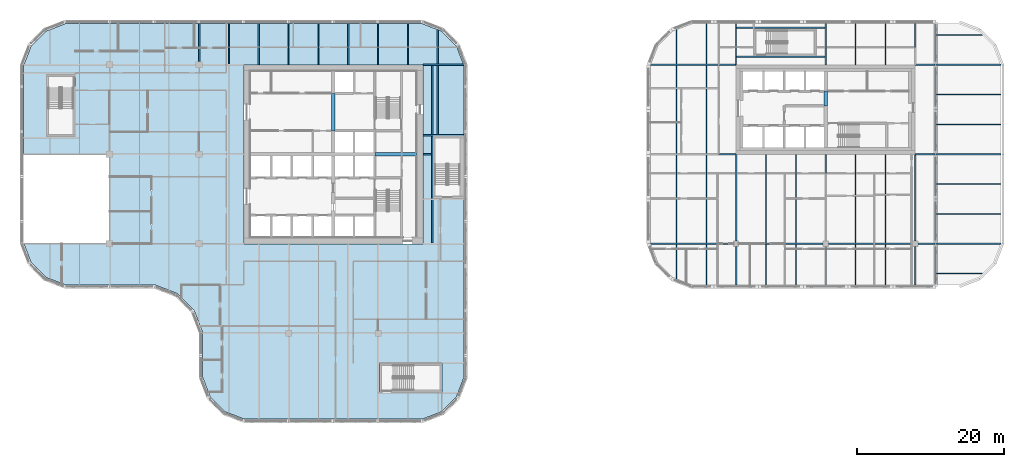
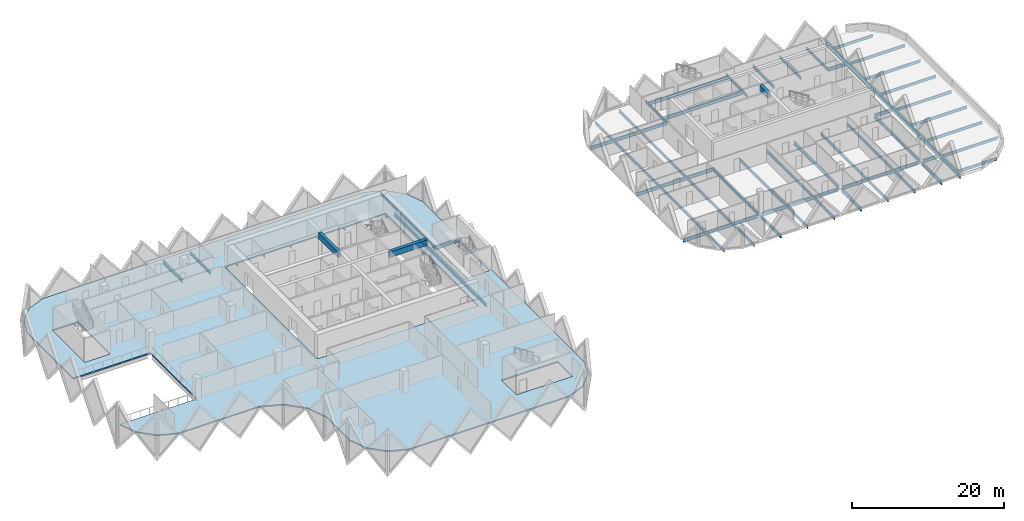
# One storey, part 2 of 18: 64 beams, 1 slab.
"""IFC4 building model written with IfcOpenShell, lengths in metres."""

from ifc_helpers import new_model, si_unit, direction, frame, origin, origin_2d, place, context, subcontext, project, spatial, polyline, rectangle, i_section, outline, extrude, material, layer, layer_set, material_profile, profile_set, type_object, element, save


model = new_model("IFC4")

# Units and contexts
model_context = context("Model", 3, precision=1e-05, world=origin(), true_north=direction((0.0, 1.0)))
body_context = subcontext(model_context, "Body", "Model", "MODEL_VIEW")
ifc_project = project(units=[si_unit("LENGTHUNIT", "METRE"), si_unit("AREAUNIT", "SQUARE_METRE"), si_unit("VOLUMEUNIT", "CUBIC_METRE"), si_unit("PLANEANGLEUNIT", "RADIAN"), si_unit("MASSUNIT", "GRAM", prefix="KILO")], contexts=[model_context])

# Site, building, storey
site_placement = place(None, origin())
site = spatial("IfcSite", under=ifc_project, at=site_placement, CompositionType="ELEMENT")
building_placement = place(site_placement, origin())
building = spatial("IfcBuilding", under=site, at=building_placement, Name="Tessera Gate Towers", CompositionType="ELEMENT")
storey_placement = place(building_placement, frame((0.0, 0.0, 95.199951171875)))
storey = spatial("IfcBuildingStorey", under=building, at=storey_placement, Name="L23", CompositionType="ELEMENT", Elevation=95.199951171875)

# Beams
ifc_material_1 = material(Name="Concrete C50/60", Category="concrete")
ifc_material_profile_1 = material_profile(ifc_material_1, rectangle(XDim=0.5, YDim=0.89990234375, at=origin_2d()), Name="RC 500x900")
ifc_profile_set_1 = profile_set([ifc_material_profile_1], Name="Concrete C50/60")
beam_type_1 = type_object("IfcBeamType", Name="COUPLING BEAM 500x900 C50/60", PredefinedType="BEAM", material=ifc_profile_set_1)
beam_1_placement = place(storey_placement, frame((109.800048828125, 43.199951171875, 3.150146484375), z_axis=(0.0, 1.0, 0.0), x_axis=(-1.0, 0.0, 0.0)))
element("IfcBeam", 1, at=beam_1_placement, inside=storey, type_object=beam_type_1, Name="L23 coupling beam 1", PredefinedType="BEAM", context=body_context, shape_type="SweptSolid", body=[
    extrude(rectangle(XDim=0.5, YDim=0.89990234375, at=origin_2d()), origin(), (0.0, 0.0, 1.0), 2.0),
])
ifc_material_2 = material(Name="Concrete C60/75", Category="concrete")
ifc_material_profile_2 = material_profile(ifc_material_2, rectangle(XDim=0.5, YDim=0.89990234375, at=origin_2d()), Name="RC 500x900")
ifc_profile_set_2 = profile_set([ifc_material_profile_2], Name="Concrete C60/75")
beam_type_2 = type_object("IfcBeamType", Name="COUPLING BEAM 500x900 C60/75", PredefinedType="BEAM", material=ifc_profile_set_2)
beam_2_placement = place(storey_placement, frame((48.35009765625, 36.60009765625, 3.150146484375), z_axis=(1.0, 0.0, 0.0), x_axis=(0.0, 1.0, 0.0)))
element("IfcBeam", 2, at=beam_2_placement, inside=storey, type_object=beam_type_2, Name="L23 coupling beam 1", PredefinedType="BEAM", context=body_context, shape_type="SweptSolid", body=[
    extrude(rectangle(XDim=0.5, YDim=0.89990234375, at=origin_2d()), origin(), (0.0, 0.0, 1.0), 5.75),
])
beam_3_placement = place(storey_placement, frame((42.699951171875, 39.800048828125, 3.150146484375), z_axis=(0.0, 1.0, 0.0), x_axis=(-1.0, 0.0, 0.0)))
element("IfcBeam", 3, at=beam_3_placement, inside=storey, type_object=beam_type_2, Name="L23 coupling beam 2", PredefinedType="BEAM", context=body_context, shape_type="SweptSolid", body=[
    extrude(rectangle(XDim=0.5, YDim=0.89990234375, at=origin_2d()), origin(), (0.0, 0.0, 1.0), 5.099853515625),
])
ifc_material_3 = material(Name="Steel 350W", Category="steel")
ifc_material_profile_3 = material_profile(ifc_material_3, i_section(OverallWidth=0.2529296875, OverallDepth=0.677978515625, WebThickness=0.01171875, FlangeThickness=0.016357421875, at=origin_2d()), Name="W690x125")
ifc_profile_set_3 = profile_set([ifc_material_profile_3], Name="Steel 350W")
beam_type_3 = type_object("IfcBeamType", Name="FLOOR EDGE GIRDER W690x125", PredefinedType="BEAM", material=ifc_profile_set_3)
beam_4_placement = place(storey_placement, frame((124.800048828125, 18.800048828125, -0.3388671875), z_axis=(0.0, 1.0, 0.0), x_axis=(-1.0, 0.0, 0.0)))
element("IfcBeam", 4, at=beam_4_placement, inside=storey, type_object=beam_type_3, Name="T2-GD-L23-3132", PredefinedType="BEAM", context=body_context, shape_type="SweptSolid", body=[
    extrude(i_section(OverallWidth=0.2529296875, OverallDepth=0.677978515625, WebThickness=0.01171875, FlangeThickness=0.016357421875, at=origin_2d()), origin(), (0.0, 0.0, 1.0), 35.599853515625),
])
ifc_material_4 = material(Name="Steel 350W", Category="steel")
ifc_material_profile_4 = material_profile(ifc_material_4, i_section(OverallWidth=0.208984375, OverallDepth=0.532958984375, WebThickness=0.01025390625, FlangeThickness=0.015625, at=origin_2d()), Name="W530x92")
ifc_profile_set_4 = profile_set([ifc_material_profile_4], Name="Steel 350W")
beam_type_4 = type_object("IfcBeamType", Name="FLOOR GIRDER W530x92", PredefinedType="BEAM", material=ifc_profile_set_4)
beam_5_placement = place(storey_placement, frame((54.89892578125, 36.60009765625, -0.466552734375), z_axis=(1.0, 0.0, 0.0), x_axis=(0.0, 1.0, 0.0)))
element("IfcBeam", 5, at=beam_5_placement, inside=storey, type_object=beam_type_4, Name="T1-GD-L23-3068", PredefinedType="BEAM", context=body_context, shape_type="SweptSolid", body=[
    extrude(i_section(OverallWidth=0.208984375, OverallDepth=0.532958984375, WebThickness=0.01025390625, FlangeThickness=0.015625, at=origin_2d()), origin(), (0.0, 0.0, 1.0), 1.176513671875),
])
beam_6_placement = place(storey_placement, frame((54.90087890625, 48.800048828125, -0.466552734375), z_axis=(1.0, 0.0, 0.0), x_axis=(0.0, 1.0, 0.0)))
element("IfcBeam", 6, at=beam_6_placement, inside=storey, type_object=beam_type_4, Name="T1-GD-L23-3072", PredefinedType="BEAM", context=body_context, shape_type="SweptSolid", body=[
    extrude(i_section(OverallWidth=0.208984375, OverallDepth=0.532958984375, WebThickness=0.01025390625, FlangeThickness=0.015625, at=origin_2d()), origin(), (0.0, 0.0, 1.0), 5.564208984375),
])
beam_7_placement = place(storey_placement, frame((24.39990234375, 49.25, -0.466552734375), z_axis=(0.0, 1.0, 0.0), x_axis=(-1.0, 0.0, 0.0)))
element("IfcBeam", 7, at=beam_7_placement, inside=storey, type_object=beam_type_4, Name="T1-GD-L23-3080", PredefinedType="BEAM", context=body_context, shape_type="SweptSolid", body=[
    extrude(i_section(OverallWidth=0.208984375, OverallDepth=0.532958984375, WebThickness=0.01025390625, FlangeThickness=0.015625, at=origin_2d()), origin(), (0.0, 0.0, 1.0), 5.15087890625),
])
beam_8_placement = place(storey_placement, frame((54.89892578125, 39.219970703125, -0.466552734375), z_axis=(1.0, 0.0, 0.0), x_axis=(0.0, 1.0, 0.0)))
element("IfcBeam", 8, at=beam_8_placement, inside=storey, type_object=beam_type_4, Name="T1-GD-L23-3090", PredefinedType="BEAM", context=body_context, shape_type="SweptSolid", body=[
    extrude(i_section(OverallWidth=0.208984375, OverallDepth=0.532958984375, WebThickness=0.01025390625, FlangeThickness=0.015625, at=origin_2d()), origin(), (0.0, 0.0, 1.0), 5.60205078125),
])
beam_9_placement = place(storey_placement, frame((56.179931640625, 24.50439453125, -0.466552734375), z_axis=(0.0, 1.0, 0.0), x_axis=(-1.0, 0.0, 0.0)))
element("IfcBeam", 9, at=beam_9_placement, inside=storey, type_object=beam_type_4, Name="T1-GD-L23-3091", PredefinedType="BEAM", context=body_context, shape_type="SweptSolid", body=[
    extrude(i_section(OverallWidth=0.208984375, OverallDepth=0.532958984375, WebThickness=0.01025390625, FlangeThickness=0.015625, at=origin_2d()), origin(), (0.0, 0.0, 1.0), 24.191162109375),
])
beam_10_placement = place(storey_placement, frame((85.934814453125, 24.39990234375, -0.466552734375), z_axis=(1.0, 0.0, 0.0), x_axis=(0.0, 1.0, 0.0)))
element("IfcBeam", 10, at=beam_10_placement, inside=storey, type_object=beam_type_4, Name="T2-GD-L23-3133", PredefinedType="BEAM", context=body_context, shape_type="SweptSolid", body=[
    extrude(i_section(OverallWidth=0.208984375, OverallDepth=0.532958984375, WebThickness=0.01025390625, FlangeThickness=0.015625, at=origin_2d()), origin(), (0.0, 0.0, 1.0), 11.315185546875),
])
for number, where, z_axis, x_axis, name in (
    (11, (97.949951171875, 24.39990234375, -0.466552734375), (1.0, 0.0, 0.0), (0.0, 1.0, 0.0), "T2-GD-L23-3134"),
    (12, (110.14990234375, 24.39990234375, -0.466552734375), (1.0, 0.0, 0.0), (0.0, 1.0, 0.0), "T2-GD-L23-3135"),
):
    element("IfcBeam", number, at=place(storey_placement, frame(where, z_axis=z_axis, x_axis=x_axis)), inside=storey, type_object=beam_type_4, Name=name, PredefinedType="BEAM", context=body_context, shape_type="SweptSolid", body=[
        extrude(i_section(OverallWidth=0.208984375, OverallDepth=0.532958984375, WebThickness=0.01025390625, FlangeThickness=0.015625, at=origin_2d()), origin(), (0.0, 0.0, 1.0), 11.5),
    ])
beam_11_placement = place(storey_placement, frame((122.35009765625, 24.39990234375, -0.466552734375), z_axis=(1.0, 0.0, 0.0), x_axis=(0.0, 1.0, 0.0)))
element("IfcBeam", 13, at=beam_11_placement, inside=storey, type_object=beam_type_4, Name="T2-GD-L23-3136", PredefinedType="BEAM", context=body_context, shape_type="SweptSolid", body=[
    extrude(i_section(OverallWidth=0.208984375, OverallDepth=0.532958984375, WebThickness=0.01025390625, FlangeThickness=0.015625, at=origin_2d()), origin(), (0.0, 0.0, 1.0), 2.323486328125),
])
beam_12_placement = place(storey_placement, frame((85.89892578125, 36.60009765625, -0.466552734375), z_axis=(1.0, 0.0, 0.0), x_axis=(0.0, 1.0, 0.0)))
element("IfcBeam", 14, at=beam_12_placement, inside=storey, type_object=beam_type_4, Name="T2-GD-L23-3137", PredefinedType="BEAM", context=body_context, shape_type="SweptSolid", body=[
    extrude(i_section(OverallWidth=0.208984375, OverallDepth=0.532958984375, WebThickness=0.01025390625, FlangeThickness=0.015625, at=origin_2d()), origin(), (0.0, 0.0, 1.0), 11.7001953125),
])
beam_13_placement = place(storey_placement, frame((122.0009765625, 36.60009765625, -0.466552734375), z_axis=(1.0, 0.0, 0.0), x_axis=(0.0, 1.0, 0.0)))
element("IfcBeam", 15, at=beam_13_placement, inside=storey, type_object=beam_type_4, Name="T2-GD-L23-3138", PredefinedType="BEAM", context=body_context, shape_type="SweptSolid", body=[
    extrude(i_section(OverallWidth=0.208984375, OverallDepth=0.532958984375, WebThickness=0.01025390625, FlangeThickness=0.015625, at=origin_2d()), origin(), (0.0, 0.0, 1.0), 2.672607421875),
])
beam_14_placement = place(storey_placement, frame((85.934814453125, 48.800048828125, -0.466552734375), z_axis=(1.0, 0.0, 0.0), x_axis=(0.0, 1.0, 0.0)))
element("IfcBeam", 16, at=beam_14_placement, inside=storey, type_object=beam_type_4, Name="T2-GD-L23-3139", PredefinedType="BEAM", context=body_context, shape_type="SweptSolid", body=[
    extrude(i_section(OverallWidth=0.208984375, OverallDepth=0.532958984375, WebThickness=0.01025390625, FlangeThickness=0.015625, at=origin_2d()), origin(), (0.0, 0.0, 1.0), 11.664306640625),
])
beam_15_placement = place(storey_placement, frame((122.0009765625, 48.800048828125, -0.466552734375), z_axis=(1.0, 0.0, 0.0), x_axis=(0.0, 1.0, 0.0)))
element("IfcBeam", 17, at=beam_15_placement, inside=storey, type_object=beam_type_4, Name="T2-GD-L23-3140", PredefinedType="BEAM", context=body_context, shape_type="SweptSolid", body=[
    extrude(i_section(OverallWidth=0.208984375, OverallDepth=0.532958984375, WebThickness=0.01025390625, FlangeThickness=0.015625, at=origin_2d()), origin(), (0.0, 0.0, 1.0), 2.672607421875),
])
beam_16_placement = place(storey_placement, frame((97.60009765625, 18.799072265625, -0.466552734375), z_axis=(0.0, 1.0, 0.0), x_axis=(-1.0, 0.0, 0.0)))
element("IfcBeam", 18, at=beam_16_placement, inside=storey, type_object=beam_type_4, Name="T2-GD-L23-3141", PredefinedType="BEAM", context=body_context, shape_type="SweptSolid", body=[
    extrude(i_section(OverallWidth=0.208984375, OverallDepth=0.532958984375, WebThickness=0.01025390625, FlangeThickness=0.015625, at=origin_2d()), origin(), (0.0, 0.0, 1.0), 5.2509765625),
])
beam_17_placement = place(storey_placement, frame((97.60009765625, 24.75, -0.466552734375), z_axis=(0.0, 1.0, 0.0), x_axis=(-1.0, 0.0, 0.0)))
element("IfcBeam", 19, at=beam_17_placement, inside=storey, type_object=beam_type_4, Name="T2-GD-L23-3142", PredefinedType="BEAM", context=body_context, shape_type="SweptSolid", body=[
    extrude(i_section(OverallWidth=0.208984375, OverallDepth=0.532958984375, WebThickness=0.01025390625, FlangeThickness=0.015625, at=origin_2d()), origin(), (0.0, 0.0, 1.0), 11.85009765625),
])
beam_18_placement = place(storey_placement, frame((109.800048828125, 18.799072265625, -0.466552734375), z_axis=(0.0, 1.0, 0.0), x_axis=(-1.0, 0.0, 0.0)))
element("IfcBeam", 20, at=beam_18_placement, inside=storey, type_object=beam_type_4, Name="T2-GD-L23-3143", PredefinedType="BEAM", context=body_context, shape_type="SweptSolid", body=[
    extrude(i_section(OverallWidth=0.208984375, OverallDepth=0.532958984375, WebThickness=0.01025390625, FlangeThickness=0.015625, at=origin_2d()), origin(), (0.0, 0.0, 1.0), 5.2509765625),
])
beam_19_placement = place(storey_placement, frame((109.800048828125, 24.75, -0.466552734375), z_axis=(0.0, 1.0, 0.0), x_axis=(-1.0, 0.0, 0.0)))
element("IfcBeam", 21, at=beam_19_placement, inside=storey, type_object=beam_type_4, Name="T2-GD-L23-3144", PredefinedType="BEAM", context=body_context, shape_type="SweptSolid", body=[
    extrude(i_section(OverallWidth=0.208984375, OverallDepth=0.532958984375, WebThickness=0.01025390625, FlangeThickness=0.015625, at=origin_2d()), origin(), (0.0, 0.0, 1.0), 11.85009765625),
])
beam_20_placement = place(storey_placement, frame((122.0, 18.799072265625, -0.466552734375), z_axis=(0.0, 1.0, 0.0), x_axis=(-1.0, 0.0, 0.0)))
element("IfcBeam", 22, at=beam_20_placement, inside=storey, type_object=beam_type_4, Name="T2-GD-L23-3145", PredefinedType="BEAM", context=body_context, shape_type="SweptSolid", body=[
    extrude(i_section(OverallWidth=0.208984375, OverallDepth=0.532958984375, WebThickness=0.01025390625, FlangeThickness=0.015625, at=origin_2d()), origin(), (0.0, 0.0, 1.0), 5.2509765625),
])
beam_21_placement = place(storey_placement, frame((122.0, 24.75, -0.466552734375), z_axis=(0.0, 1.0, 0.0), x_axis=(-1.0, 0.0, 0.0)))
element("IfcBeam", 23, at=beam_21_placement, inside=storey, type_object=beam_type_4, Name="T2-GD-L23-3146", PredefinedType="BEAM", context=body_context, shape_type="SweptSolid", body=[
    extrude(i_section(OverallWidth=0.208984375, OverallDepth=0.532958984375, WebThickness=0.01025390625, FlangeThickness=0.015625, at=origin_2d()), origin(), (0.0, 0.0, 1.0), 11.85009765625),
])
for number, where, z_axis, x_axis, name in (
    (24, (97.676513671875, 49.8798828125, -0.466552734375), (1.0, 0.0, 0.0), (0.0, 1.0, 0.0), "T2-GD-L23-3147"),
    (25, (97.676513671875, 53.820068359375, -0.466552734375), (1.0, 0.0, 0.0), (0.0, 1.0, 0.0), "T2-GD-L23-3148"),
):
    element("IfcBeam", number, at=place(storey_placement, frame(where, z_axis=z_axis, x_axis=x_axis)), inside=storey, type_object=beam_type_4, Name=name, PredefinedType="BEAM", context=body_context, shape_type="SweptSolid", body=[
        extrude(i_section(OverallWidth=0.208984375, OverallDepth=0.532958984375, WebThickness=0.01025390625, FlangeThickness=0.015625, at=origin_2d()), origin(), (0.0, 0.0, 1.0), 12.046875),
    ])
ifc_material_5 = material(Name="Steel 350W", Category="steel")
ifc_material_profile_5 = material_profile(ifc_material_5, i_section(OverallWidth=0.153076171875, OverallDepth=0.455078125, WebThickness=0.008056640625, FlangeThickness=0.01318359375, at=origin_2d()), Name="W460x60")
ifc_profile_set_5 = profile_set([ifc_material_profile_5], Name="Steel 350W")
beam_type_5 = type_object("IfcBeamType", Name="FLOOR SECONDARY W460x60", PredefinedType="BEAM", material=ifc_profile_set_5)
beam_22_placement = place(storey_placement, frame((28.466796875, 48.904541015625, -0.427490234375), z_axis=(0.0, 1.0, 0.0), x_axis=(-1.0, 0.0, 0.0)))
element("IfcBeam", 26, at=beam_22_placement, inside=storey, type_object=beam_type_5, Name="T1-BM-L23-3110", PredefinedType="BEAM", context=body_context, shape_type="SweptSolid", body=[
    extrude(i_section(OverallWidth=0.153076171875, OverallDepth=0.455078125, WebThickness=0.008056640625, FlangeThickness=0.01318359375, at=origin_2d()), origin(), (0.0, 0.0, 1.0), 5.495361328125),
])
for number, where, z_axis, x_axis, name in (
    (27, (32.533203125, 48.800048828125, -0.427490234375), (0.0, 1.0, 0.0), (-1.0, 0.0, 0.0), "T1-BM-L23-3113"),
    (28, (36.60009765625, 48.800048828125, -0.427490234375), (0.0, 1.0, 0.0), (-1.0, 0.0, 0.0), "T1-BM-L23-3114"),
    (29, (40.666748046875, 48.800048828125, -0.427490234375), (0.0, 1.0, 0.0), (-1.0, 0.0, 0.0), "T1-BM-L23-3117"),
    (30, (44.7333984375, 48.800048828125, -0.427490234375), (0.0, 1.0, 0.0), (-1.0, 0.0, 0.0), "T1-BM-L23-3120"),
    (31, (48.800048828125, 48.800048828125, -0.427490234375), (0.0, 1.0, 0.0), (-1.0, 0.0, 0.0), "T1-BM-L23-3121"),
    (32, (52.86669921875, 48.800048828125, -0.427490234375), (0.0, 1.0, 0.0), (-1.0, 0.0, 0.0), "T1-BM-L23-3125"),
):
    element("IfcBeam", number, at=place(storey_placement, frame(where, z_axis=z_axis, x_axis=x_axis)), inside=storey, type_object=beam_type_5, Name=name, PredefinedType="BEAM", context=body_context, shape_type="SweptSolid", body=[
        extrude(i_section(OverallWidth=0.153076171875, OverallDepth=0.455078125, WebThickness=0.008056640625, FlangeThickness=0.01318359375, at=origin_2d()), origin(), (0.0, 0.0, 1.0), 5.599853515625),
    ])
beam_23_placement = place(storey_placement, frame((56.933349609375, 39.324462890625, -0.427490234375), z_axis=(0.0, 1.0, 0.0), x_axis=(-1.0, 0.0, 0.0)))
element("IfcBeam", 33, at=beam_23_placement, inside=storey, type_object=beam_type_5, Name="T1-BM-L23-3130", PredefinedType="BEAM", context=body_context, shape_type="SweptSolid", body=[
    extrude(i_section(OverallWidth=0.153076171875, OverallDepth=0.455078125, WebThickness=0.008056640625, FlangeThickness=0.01318359375, at=origin_2d()), origin(), (0.0, 0.0, 1.0), 9.37109375),
])
for number, where, z_axis, x_axis, name in (
    (34, (56.933349609375, 48.904541015625, -0.427490234375), (0.0, 1.0, 0.0), (-1.0, 0.0, 0.0), "T1-BM-L23-3131"),
    (35, (89.466796875, 19.620361328125, -0.427490234375), (0.0, 1.0, 0.0), (-1.0, 0.0, 0.0), "T2-BM-L23-3149"),
):
    element("IfcBeam", number, at=place(storey_placement, frame(where, z_axis=z_axis, x_axis=x_axis)), inside=storey, type_object=beam_type_5, Name=name, PredefinedType="BEAM", context=body_context, shape_type="SweptSolid", body=[
        extrude(i_section(OverallWidth=0.153076171875, OverallDepth=0.455078125, WebThickness=0.008056640625, FlangeThickness=0.01318359375, at=origin_2d()), origin(), (0.0, 0.0, 1.0), 4.675048828125),
    ])
beam_24_placement = place(storey_placement, frame((89.466796875, 24.50439453125, -0.427490234375), z_axis=(0.0, 1.0, 0.0), x_axis=(-1.0, 0.0, 0.0)))
element("IfcBeam", 36, at=beam_24_placement, inside=storey, type_object=beam_type_5, Name="T2-BM-L23-3150", PredefinedType="BEAM", context=body_context, shape_type="SweptSolid", body=[
    extrude(i_section(OverallWidth=0.153076171875, OverallDepth=0.455078125, WebThickness=0.008056640625, FlangeThickness=0.01318359375, at=origin_2d()), origin(), (0.0, 0.0, 1.0), 11.9912109375),
])
beam_25_placement = place(storey_placement, frame((89.466796875, 36.70458984375, -0.427490234375), z_axis=(0.0, 1.0, 0.0), x_axis=(-1.0, 0.0, 0.0)))
element("IfcBeam", 37, at=beam_25_placement, inside=storey, type_object=beam_type_5, Name="T2-BM-L23-3151", PredefinedType="BEAM", context=body_context, shape_type="SweptSolid", body=[
    extrude(i_section(OverallWidth=0.153076171875, OverallDepth=0.455078125, WebThickness=0.008056640625, FlangeThickness=0.01318359375, at=origin_2d()), origin(), (0.0, 0.0, 1.0), 11.990966796875),
])
beam_26_placement = place(storey_placement, frame((89.466796875, 48.904541015625, -0.427490234375), z_axis=(0.0, 1.0, 0.0), x_axis=(-1.0, 0.0, 0.0)))
element("IfcBeam", 38, at=beam_26_placement, inside=storey, type_object=beam_type_5, Name="T2-BM-L23-3152", PredefinedType="BEAM", context=body_context, shape_type="SweptSolid", body=[
    extrude(i_section(OverallWidth=0.153076171875, OverallDepth=0.455078125, WebThickness=0.008056640625, FlangeThickness=0.01318359375, at=origin_2d()), origin(), (0.0, 0.0, 1.0), 4.675048828125),
])
beam_27_placement = place(storey_placement, frame((93.533203125, 18.800048828125, -0.427490234375), z_axis=(0.0, 1.0, 0.0), x_axis=(-1.0, 0.0, 0.0)))
element("IfcBeam", 39, at=beam_27_placement, inside=storey, type_object=beam_type_5, Name="T2-BM-L23-3153", PredefinedType="BEAM", context=body_context, shape_type="SweptSolid", body=[
    extrude(i_section(OverallWidth=0.153076171875, OverallDepth=0.455078125, WebThickness=0.008056640625, FlangeThickness=0.01318359375, at=origin_2d()), origin(), (0.0, 0.0, 1.0), 5.495361328125),
])
beam_28_placement = place(storey_placement, frame((93.533203125, 24.50439453125, -0.427490234375), z_axis=(0.0, 1.0, 0.0), x_axis=(-1.0, 0.0, 0.0)))
element("IfcBeam", 40, at=beam_28_placement, inside=storey, type_object=beam_type_5, Name="T2-BM-L23-3154", PredefinedType="BEAM", context=body_context, shape_type="SweptSolid", body=[
    extrude(i_section(OverallWidth=0.153076171875, OverallDepth=0.455078125, WebThickness=0.008056640625, FlangeThickness=0.01318359375, at=origin_2d()), origin(), (0.0, 0.0, 1.0), 11.9912109375),
])
beam_29_placement = place(storey_placement, frame((93.533203125, 36.70458984375, -0.427490234375), z_axis=(0.0, 1.0, 0.0), x_axis=(-1.0, 0.0, 0.0)))
element("IfcBeam", 41, at=beam_29_placement, inside=storey, type_object=beam_type_5, Name="T2-BM-L23-3155", PredefinedType="BEAM", context=body_context, shape_type="SweptSolid", body=[
    extrude(i_section(OverallWidth=0.153076171875, OverallDepth=0.455078125, WebThickness=0.008056640625, FlangeThickness=0.01318359375, at=origin_2d()), origin(), (0.0, 0.0, 1.0), 11.990966796875),
])
beam_30_placement = place(storey_placement, frame((93.533203125, 48.904541015625, -0.427490234375), z_axis=(0.0, 1.0, 0.0), x_axis=(-1.0, 0.0, 0.0)))
element("IfcBeam", 42, at=beam_30_placement, inside=storey, type_object=beam_type_5, Name="T2-BM-L23-3156", PredefinedType="BEAM", context=body_context, shape_type="SweptSolid", body=[
    extrude(i_section(OverallWidth=0.153076171875, OverallDepth=0.455078125, WebThickness=0.008056640625, FlangeThickness=0.01318359375, at=origin_2d()), origin(), (0.0, 0.0, 1.0), 5.495361328125),
])
beam_31_placement = place(storey_placement, frame((97.60009765625, 48.800048828125, -0.427490234375), z_axis=(0.0, 1.0, 0.0), x_axis=(-1.0, 0.0, 0.0)))
element("IfcBeam", 43, at=beam_31_placement, inside=storey, type_object=beam_type_5, Name="T2-BM-L23-3157", PredefinedType="BEAM", context=body_context, shape_type="SweptSolid", body=[
    extrude(i_section(OverallWidth=0.153076171875, OverallDepth=0.455078125, WebThickness=0.008056640625, FlangeThickness=0.01318359375, at=origin_2d()), origin(), (0.0, 0.0, 1.0), 5.599853515625),
])
beam_32_placement = place(storey_placement, frame((101.666748046875, 18.800048828125, -0.427490234375), z_axis=(0.0, 1.0, 0.0), x_axis=(-1.0, 0.0, 0.0)))
element("IfcBeam", 44, at=beam_32_placement, inside=storey, type_object=beam_type_5, Name="T2-BM-L23-3158", PredefinedType="BEAM", context=body_context, shape_type="SweptSolid", body=[
    extrude(i_section(OverallWidth=0.153076171875, OverallDepth=0.455078125, WebThickness=0.008056640625, FlangeThickness=0.01318359375, at=origin_2d()), origin(), (0.0, 0.0, 1.0), 5.495361328125),
])
beam_33_placement = place(storey_placement, frame((101.666748046875, 24.50439453125, -0.427490234375), z_axis=(0.0, 1.0, 0.0), x_axis=(-1.0, 0.0, 0.0)))
element("IfcBeam", 45, at=beam_33_placement, inside=storey, type_object=beam_type_5, Name="T2-BM-L23-3159", PredefinedType="BEAM", context=body_context, shape_type="SweptSolid", body=[
    extrude(i_section(OverallWidth=0.153076171875, OverallDepth=0.455078125, WebThickness=0.008056640625, FlangeThickness=0.01318359375, at=origin_2d()), origin(), (0.0, 0.0, 1.0), 12.095703125),
])
beam_34_placement = place(storey_placement, frame((105.7333984375, 18.800048828125, -0.427490234375), z_axis=(0.0, 1.0, 0.0), x_axis=(-1.0, 0.0, 0.0)))
element("IfcBeam", 46, at=beam_34_placement, inside=storey, type_object=beam_type_5, Name="T2-BM-L23-3160", PredefinedType="BEAM", context=body_context, shape_type="SweptSolid", body=[
    extrude(i_section(OverallWidth=0.153076171875, OverallDepth=0.455078125, WebThickness=0.008056640625, FlangeThickness=0.01318359375, at=origin_2d()), origin(), (0.0, 0.0, 1.0), 5.495361328125),
])
beam_35_placement = place(storey_placement, frame((105.7333984375, 24.50439453125, -0.427490234375), z_axis=(0.0, 1.0, 0.0), x_axis=(-1.0, 0.0, 0.0)))
element("IfcBeam", 47, at=beam_35_placement, inside=storey, type_object=beam_type_5, Name="T2-BM-L23-3161", PredefinedType="BEAM", context=body_context, shape_type="SweptSolid", body=[
    extrude(i_section(OverallWidth=0.153076171875, OverallDepth=0.455078125, WebThickness=0.008056640625, FlangeThickness=0.01318359375, at=origin_2d()), origin(), (0.0, 0.0, 1.0), 12.095703125),
])
beam_36_placement = place(storey_placement, frame((109.800048828125, 48.800048828125, -0.427490234375), z_axis=(0.0, 1.0, 0.0), x_axis=(-1.0, 0.0, 0.0)))
element("IfcBeam", 48, at=beam_36_placement, inside=storey, type_object=beam_type_5, Name="T2-BM-L23-3162", PredefinedType="BEAM", context=body_context, shape_type="SweptSolid", body=[
    extrude(i_section(OverallWidth=0.153076171875, OverallDepth=0.455078125, WebThickness=0.008056640625, FlangeThickness=0.01318359375, at=origin_2d()), origin(), (0.0, 0.0, 1.0), 5.599853515625),
])
beam_37_placement = place(storey_placement, frame((113.86669921875, 18.800048828125, -0.427490234375), z_axis=(0.0, 1.0, 0.0), x_axis=(-1.0, 0.0, 0.0)))
element("IfcBeam", 49, at=beam_37_placement, inside=storey, type_object=beam_type_5, Name="T2-BM-L23-3163", PredefinedType="BEAM", context=body_context, shape_type="SweptSolid", body=[
    extrude(i_section(OverallWidth=0.153076171875, OverallDepth=0.455078125, WebThickness=0.008056640625, FlangeThickness=0.01318359375, at=origin_2d()), origin(), (0.0, 0.0, 1.0), 5.495361328125),
])
beam_38_placement = place(storey_placement, frame((113.86669921875, 24.50439453125, -0.427490234375), z_axis=(0.0, 1.0, 0.0), x_axis=(-1.0, 0.0, 0.0)))
element("IfcBeam", 50, at=beam_38_placement, inside=storey, type_object=beam_type_5, Name="T2-BM-L23-3164", PredefinedType="BEAM", context=body_context, shape_type="SweptSolid", body=[
    extrude(i_section(OverallWidth=0.153076171875, OverallDepth=0.455078125, WebThickness=0.008056640625, FlangeThickness=0.01318359375, at=origin_2d()), origin(), (0.0, 0.0, 1.0), 12.095703125),
])
beam_39_placement = place(storey_placement, frame((113.86669921875, 48.800048828125, -0.427490234375), z_axis=(0.0, 1.0, 0.0), x_axis=(-1.0, 0.0, 0.0)))
element("IfcBeam", 51, at=beam_39_placement, inside=storey, type_object=beam_type_5, Name="T2-BM-L23-3165", PredefinedType="BEAM", context=body_context, shape_type="SweptSolid", body=[
    extrude(i_section(OverallWidth=0.153076171875, OverallDepth=0.455078125, WebThickness=0.008056640625, FlangeThickness=0.01318359375, at=origin_2d()), origin(), (0.0, 0.0, 1.0), 5.599853515625),
])
beam_40_placement = place(storey_placement, frame((117.933349609375, 18.800048828125, -0.427490234375), z_axis=(0.0, 1.0, 0.0), x_axis=(-1.0, 0.0, 0.0)))
element("IfcBeam", 52, at=beam_40_placement, inside=storey, type_object=beam_type_5, Name="T2-BM-L23-3166", PredefinedType="BEAM", context=body_context, shape_type="SweptSolid", body=[
    extrude(i_section(OverallWidth=0.153076171875, OverallDepth=0.455078125, WebThickness=0.008056640625, FlangeThickness=0.01318359375, at=origin_2d()), origin(), (0.0, 0.0, 1.0), 5.495361328125),
])
beam_41_placement = place(storey_placement, frame((117.933349609375, 24.50439453125, -0.427490234375), z_axis=(0.0, 1.0, 0.0), x_axis=(-1.0, 0.0, 0.0)))
element("IfcBeam", 53, at=beam_41_placement, inside=storey, type_object=beam_type_5, Name="T2-BM-L23-3167", PredefinedType="BEAM", context=body_context, shape_type="SweptSolid", body=[
    extrude(i_section(OverallWidth=0.153076171875, OverallDepth=0.455078125, WebThickness=0.008056640625, FlangeThickness=0.01318359375, at=origin_2d()), origin(), (0.0, 0.0, 1.0), 12.095703125),
])
for number, where, z_axis, x_axis, name in (
    (54, (117.933349609375, 48.800048828125, -0.427490234375), (0.0, 1.0, 0.0), (-1.0, 0.0, 0.0), "T2-BM-L23-3168"),
    (55, (122.0, 48.800048828125, -0.427490234375), (0.0, 1.0, 0.0), (-1.0, 0.0, 0.0), "T2-BM-L23-3169"),
):
    element("IfcBeam", number, at=place(storey_placement, frame(where, z_axis=z_axis, x_axis=x_axis)), inside=storey, type_object=beam_type_5, Name=name, PredefinedType="BEAM", context=body_context, shape_type="SweptSolid", body=[
        extrude(i_section(OverallWidth=0.153076171875, OverallDepth=0.455078125, WebThickness=0.008056640625, FlangeThickness=0.01318359375, at=origin_2d()), origin(), (0.0, 0.0, 1.0), 5.599853515625),
    ])
beam_42_placement = place(storey_placement, frame((124.904541015625, 20.333251953125, -0.677490234375), z_axis=(1.0, 0.0, 0.0), x_axis=(0.0, 1.0, 0.0)))
element("IfcBeam", 56, at=beam_42_placement, inside=storey, type_object=beam_type_5, Name="T2-R-BM-L23-3170", PredefinedType="BEAM", context=body_context, shape_type="SweptSolid", body=[
    extrude(i_section(OverallWidth=0.153076171875, OverallDepth=0.455078125, WebThickness=0.008056640625, FlangeThickness=0.01318359375, at=origin_2d()), origin(), (0.0, 0.0, 1.0), 6.26953125),
])
beam_43_placement = place(storey_placement, frame((124.904541015625, 24.39990234375, -0.677490234375), z_axis=(1.0, 0.0, 0.0), x_axis=(0.0, 1.0, 0.0)))
element("IfcBeam", 57, at=beam_43_placement, inside=storey, type_object=beam_type_5, Name="T2-R-BM-L23-3171", PredefinedType="BEAM", context=body_context, shape_type="SweptSolid", body=[
    extrude(i_section(OverallWidth=0.153076171875, OverallDepth=0.455078125, WebThickness=0.008056640625, FlangeThickness=0.01318359375, at=origin_2d()), origin(), (0.0, 0.0, 1.0), 8.759521484375),
])
for number, where, z_axis, x_axis, name in (
    (58, (124.904541015625, 28.466796875, -0.677490234375), (1.0, 0.0, 0.0), (0.0, 1.0, 0.0), "T2-R-BM-L23-3172"),
    (59, (124.904541015625, 32.533203125, -0.677490234375), (1.0, 0.0, 0.0), (0.0, 1.0, 0.0), "T2-R-BM-L23-3173"),
    (60, (124.904541015625, 36.60009765625, -0.677490234375), (1.0, 0.0, 0.0), (0.0, 1.0, 0.0), "T2-R-BM-L23-3174"),
    (61, (124.904541015625, 40.666748046875, -0.677490234375), (1.0, 0.0, 0.0), (0.0, 1.0, 0.0), "T2-R-BM-L23-3175"),
    (62, (124.904541015625, 44.7333984375, -0.677490234375), (1.0, 0.0, 0.0), (0.0, 1.0, 0.0), "T2-R-BM-L23-3176"),
):
    element("IfcBeam", number, at=place(storey_placement, frame(where, z_axis=z_axis, x_axis=x_axis)), inside=storey, type_object=beam_type_5, Name=name, PredefinedType="BEAM", context=body_context, shape_type="SweptSolid", body=[
        extrude(i_section(OverallWidth=0.153076171875, OverallDepth=0.455078125, WebThickness=0.008056640625, FlangeThickness=0.01318359375, at=origin_2d()), origin(), (0.0, 0.0, 1.0), 8.79541015625),
    ])
beam_44_placement = place(storey_placement, frame((124.904541015625, 48.800048828125, -0.677490234375), z_axis=(1.0, 0.0, 0.0), x_axis=(0.0, 1.0, 0.0)))
element("IfcBeam", 63, at=beam_44_placement, inside=storey, type_object=beam_type_5, Name="T2-R-BM-L23-3177", PredefinedType="BEAM", context=body_context, shape_type="SweptSolid", body=[
    extrude(i_section(OverallWidth=0.153076171875, OverallDepth=0.455078125, WebThickness=0.008056640625, FlangeThickness=0.01318359375, at=origin_2d()), origin(), (0.0, 0.0, 1.0), 8.759521484375),
])
beam_45_placement = place(storey_placement, frame((124.904541015625, 52.86669921875, -0.677490234375), z_axis=(1.0, 0.0, 0.0), x_axis=(0.0, 1.0, 0.0)))
element("IfcBeam", 64, at=beam_45_placement, inside=storey, type_object=beam_type_5, Name="T2-R-BM-L23-3178", PredefinedType="BEAM", context=body_context, shape_type="SweptSolid", body=[
    extrude(i_section(OverallWidth=0.153076171875, OverallDepth=0.455078125, WebThickness=0.008056640625, FlangeThickness=0.01318359375, at=origin_2d()), origin(), (0.0, 0.0, 1.0), 6.26953125),
])

# Slab
ifc_material_6 = material(Name="Concrete C35/45", Category="concrete")
ifc_layer = layer(ifc_material_6, 0.199951171875)
ifc_layer_set = layer_set([ifc_layer], Name="COMPOSITE FLOOR 200")
slab_type = type_object("IfcSlabType", Name="COMPOSITE FLOOR 200", PredefinedType="FLOOR", material=ifc_layer_set)
slab_placement = place(storey_placement, frame((0.0, 0.0, -0.199951171875)))
element("IfcSlab", 65, at=slab_placement, inside=storey, type_object=slab_type, Name="T1-L23", PredefinedType="FLOOR", context=body_context, shape_type="SweptSolid", body=[
    extrude(outline(polyline([(0.5, 36.60009765625), (12.199951171875, 36.60009765625), (12.199951171875, 24.39990234375), (0.535888671875, 24.39990234375), (1.526123046875, 21.8330078125), (3.533203125, 19.826171875), (6.193115234375, 18.800048828125), (18.39306640625, 18.800048828125), (21.42431640625, 17.630615234375), (23.730712890625, 15.32421875), (24.89990234375, 12.293212890625), (24.89990234375, 6.193115234375), (25.926025390625, 3.533203125), (27.93310546875, 1.526123046875), (30.593017578125, 0.5), (54.806884765625, 0.5), (57.466796875, 1.526123046875), (59.473876953125, 3.533203125), (60.5, 6.193115234375), (60.5, 48.706787109375), (59.473876953125, 51.366943359375), (57.466796875, 53.373779296875), (54.806884765625, 54.39990234375), (6.193115234375, 54.39990234375), (3.533203125, 53.373779296875), (1.526123046875, 51.366943359375), (0.5, 48.706787109375), (0.5, 36.60009765625)]), holes=[polyline([(3.60009765625, 39.0), (3.60009765625, 47.5), (7.5, 47.5), (7.5, 39.0), (3.60009765625, 39.0)]), polyline([(30.5, 24.39990234375), (30.5, 48.800048828125), (54.89990234375, 48.800048828125), (54.89990234375, 24.39990234375), (30.5, 24.39990234375)]), polyline([(49.0, 4.199951171875), (49.0, 8.10009765625), (57.5, 8.10009765625), (57.5, 4.199951171875), (49.0, 4.199951171875)]), polyline([(56.300048828125, 30.60009765625), (56.300048828125, 39.10009765625), (60.199951171875, 39.10009765625), (60.199951171875, 30.60009765625), (56.300048828125, 30.60009765625)])]), origin(), (0.0, 0.0, 1.0), 0.199951171875),
])

save(model, "model.ifc")
